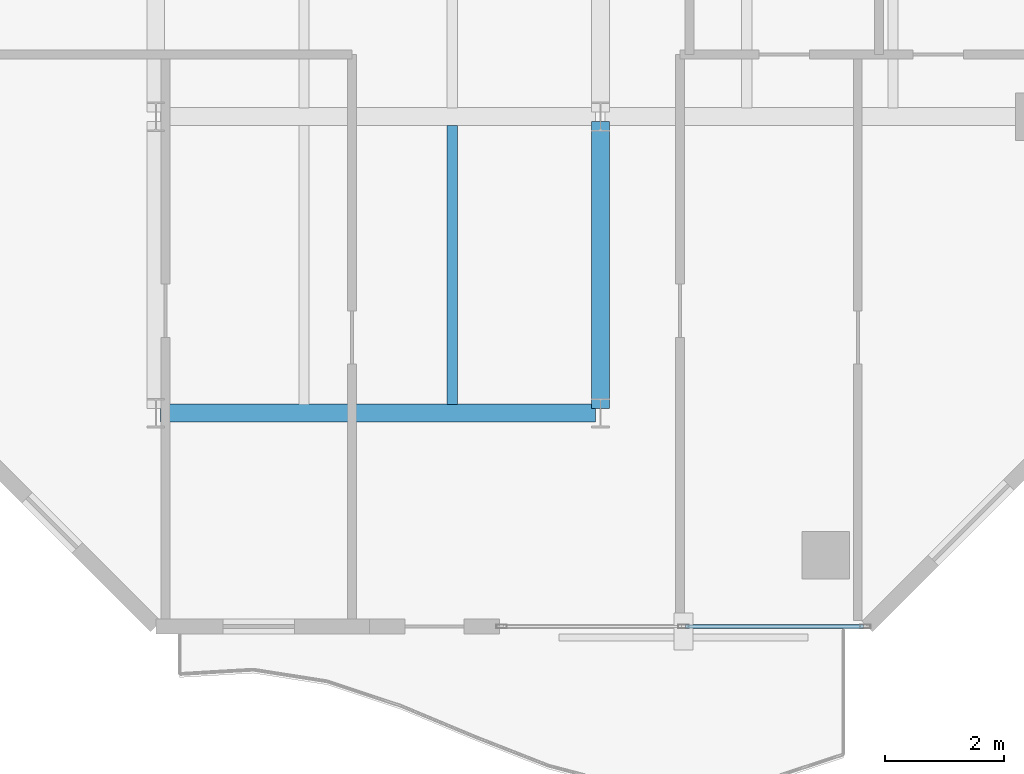
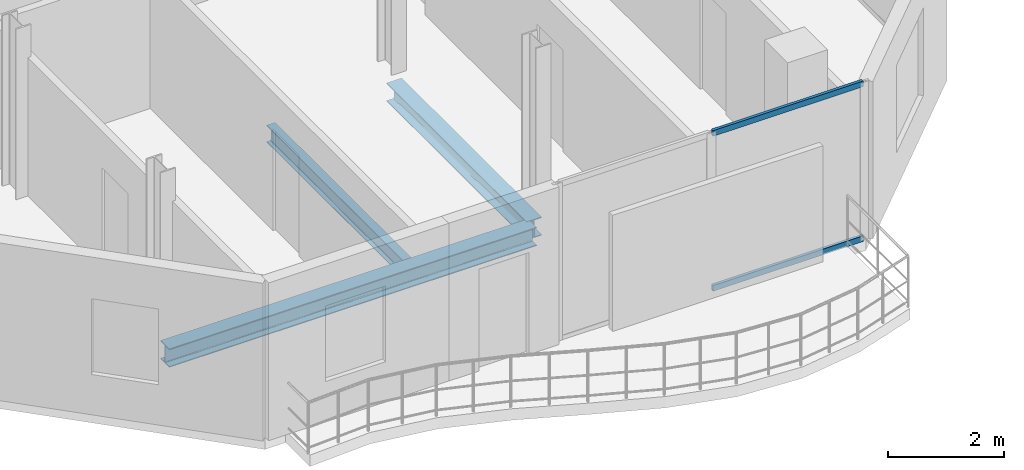
# One storey, part 4 of 23: 3 beams, 2 members, 1 element without a shape of its own.
"""IFC4 building model written with IfcOpenShell, lengths in metres."""

import ifcopenshell
import ifcopenshell.guid

model = None  # the IFC model being written
_history = None  # IfcOwnerHistory: only IFC2X3 demands one
_inside = {}  # id of a spatial element -> (the spatial element, [elements in it])
_under = {}  # id of a project, library or spatial element -> (it, [spatial elements below it])
_declared = {}  # id of a project -> (the project, [libraries it declares])
_typed = {}  # id of a type object -> (the type object, [elements of that type])
_made_of = {}  # id of a material, layer set ... -> (it, [elements and type objects made of it])


def new_model(schema):
    """Start an empty IFC model of exactly this schema.

    Asked for "IFC4X3", IfcOpenShell would pick the latest addendum, in which some entities
    have other attributes; the version numbers below select the first issue.
    IFC2X3 requires an IfcOwnerHistory on every rooted entity: one is made here for all.
    """
    global model, _history
    if schema == "IFC4X3":
        model = ifcopenshell.file(schema_version=(4, 3, 0, 0))
    else:
        model = ifcopenshell.file(schema=schema)
    _inside.clear()
    _under.clear()
    _declared.clear()
    _typed.clear()
    _made_of.clear()
    _history = None
    if model.schema == "IFC2X3":
        org = make("IfcOrganization", Name="unknown")
        user = make(
            "IfcPersonAndOrganization",
            ThePerson=make("IfcPerson", FamilyName="unknown"),
            TheOrganization=org,
        )
        app = make(
            "IfcApplication",
            ApplicationDeveloper=org,
            Version="unknown",
            ApplicationFullName="unknown",
            ApplicationIdentifier="unknown",
        )
        _history = make(
            "IfcOwnerHistory",
            OwningUser=user,
            OwningApplication=app,
            ChangeAction="ADDED",
            CreationDate=0,
        )
    return model


def make(cls, **values):
    """One entity of the class cls with the attributes given. An attribute that is None is left unset."""
    return model.create_entity(
        cls, **{name: value for name, value in values.items() if value is not None}
    )


def rooted(cls, **values):
    """An entity with a GlobalId (a new one), such as an element, a storey or a relation."""
    return make(cls, GlobalId=ifcopenshell.guid.new(), OwnerHistory=_history, **values)


def si_unit(unit_type, name, prefix=None):
    """IfcSIUnit, for example si_unit("LENGTHUNIT", "METRE", prefix="MILLI")."""
    return make("IfcSIUnit", UnitType=unit_type, Prefix=prefix, Name=name)


def assignment(units):
    """IfcUnitAssignment: the units of a project."""
    return None if units is None else make("IfcUnitAssignment", Units=units)


def point(xyz):
    """IfcCartesianPoint."""
    return None if xyz is None else make("IfcCartesianPoint", Coordinates=xyz)


def direction(xyz):
    """IfcDirection."""
    return None if xyz is None else make("IfcDirection", DirectionRatios=xyz)


def frame(location, z_axis=None, x_axis=None):
    """IfcAxis2Placement3D, a coordinate frame: its origin and axes. An axis left out is left unset."""
    return make(
        "IfcAxis2Placement3D",
        Location=point(location),
        Axis=direction(z_axis),
        RefDirection=direction(x_axis),
    )


def frame_2d(location, x_axis=None):
    """IfcAxis2Placement2D, a coordinate frame in the plane: its origin and x axis."""
    return make(
        "IfcAxis2Placement2D", Location=point(location), RefDirection=direction(x_axis)
    )


def origin():
    """The frame at (0, 0, 0) with its axes left unset."""
    return frame((0.0, 0.0, 0.0))


def origin_2d():
    """The frame at (0, 0) in the plane with its x axis left unset."""
    return frame_2d((0.0, 0.0))


def place(relative_to, where):
    """IfcLocalPlacement: puts the frame where relative to a parent placement (None: the world)."""
    return make(
        "IfcLocalPlacement", PlacementRelTo=relative_to, RelativePlacement=where
    )


def context(
    kind, dimensions, precision=None, world=None, true_north=None, identifier=None
):
    """IfcGeometricRepresentationContext, for example the 3D "Model" context."""
    return make(
        "IfcGeometricRepresentationContext",
        ContextIdentifier=identifier,
        ContextType=kind,
        CoordinateSpaceDimension=dimensions,
        Precision=precision,
        WorldCoordinateSystem=world,
        TrueNorth=true_north,
    )


def subcontext(parent, identifier, kind, view, scale=None):
    """IfcGeometricRepresentationSubContext, for example "Body" below "Model"."""
    return make(
        "IfcGeometricRepresentationSubContext",
        ContextIdentifier=identifier,
        ContextType=kind,
        ParentContext=parent,
        TargetScale=scale,
        TargetView=view,
    )


def project(units=None, contexts=None):
    """IfcProject with its units and contexts."""
    return rooted(
        "IfcProject",
        Name="project",
        RepresentationContexts=contexts,
        UnitsInContext=assignment(units),
    )


def spatial(cls, under=None, at=None, **own):
    """A site, building, storey or space (cls), placed at a placement, below another one or the project."""
    s = rooted(cls, ObjectPlacement=at, **own)
    if under is not None:
        _under.setdefault(under.id(), (under, []))[1].append(s)
    return s


def profile(cls, at=None, kind="AREA", **sizes):
    """A parametric profile (cls). Its sizes go by their IFC names, for example OverallWidth=200.0."""
    return make(cls, ProfileType=kind, Position=at, **sizes)


def hollow_rectangle(**sizes):
    """IfcRectangleHollowProfileDef."""
    return profile("IfcRectangleHollowProfileDef", **sizes)


def i_section(**sizes):
    """IfcIShapeProfileDef."""
    return profile("IfcIShapeProfileDef", **sizes)


def extrude(swept, where, along, depth):
    """IfcExtrudedAreaSolid: the profile swept, set in the frame where, extruded along a direction by depth."""
    return make(
        "IfcExtrudedAreaSolid",
        SweptArea=swept,
        Position=where,
        ExtrudedDirection=direction(along),
        Depth=depth,
    )


def shape(context_of_items, identifier, shape_type, items):
    """IfcShapeRepresentation: the items that make up one representation, for example the "Body"."""
    return make(
        "IfcShapeRepresentation",
        ContextOfItems=context_of_items,
        RepresentationIdentifier=identifier,
        RepresentationType=shape_type,
        Items=items,
    )


def material(Name=None, Category=None):
    """IfcMaterial."""
    return make("IfcMaterial", Name=Name, Category=Category)


def layer(
    of_material, thickness, ventilated=None, Name=None, Category=None, Priority=None
):
    """IfcMaterialLayer: one layer of a wall or slab, of a material (None: an air gap)."""
    return make(
        "IfcMaterialLayer",
        Material=of_material,
        LayerThickness=thickness,
        IsVentilated=ventilated,
        Name=Name,
        Category=Category,
        Priority=Priority,
    )


def layer_set(layers, Name=None):
    """IfcMaterialLayerSet."""
    return make("IfcMaterialLayerSet", MaterialLayers=layers, LayerSetName=Name)


def material_profile(
    of_material, cross_section, Name=None, Category=None, Priority=None
):
    """IfcMaterialProfile: a cross section and its material."""
    return make(
        "IfcMaterialProfile",
        Name=Name,
        Material=of_material,
        Profile=cross_section,
        Priority=Priority,
        Category=Category,
    )


def profile_set(profiles, Name=None, composite=None):
    """IfcMaterialProfileSet."""
    return make(
        "IfcMaterialProfileSet",
        Name=Name,
        MaterialProfiles=profiles,
        CompositeProfile=composite,
    )


def made_of(thing, what):
    """Note that an element or type object is made of a material, layer set ...; save() writes the relation."""
    if what is not None:
        _made_of.setdefault(what.id(), (what, []))[1].append(thing)
    return thing


def type_object(cls, material=None, **own):
    """A type object (cls), such as IfcWallType, which elements share."""
    return made_of(rooted(cls, **own), material)


def element(
    cls,
    number,
    at=None,
    inside=None,
    cuts=None,
    type_object=None,
    material=None,
    context=None,
    identifier="Body",
    shape_type=None,
    held_by="IfcProductDefinitionShape",
    body=None,
    shapes=None,
    **own,
):
    """One element of the class cls, such as IfcWall. Its Tag is "e" and its number.

    at: its placement. inside: the storey or other place that contains it. cuts: it is an
    opening in that element (IfcRelVoidsElement). A single representation is given by context,
    identifier, shape_type and body (its items); several are given by shapes. held_by: the class
    of the entity that holds the representations. save() writes the other relations.
    """
    e = rooted(cls, Tag="e%d" % number, ObjectPlacement=at, **own)
    if body is not None:
        shapes = [shape(context, identifier, shape_type, body)]
    if shapes is not None:
        e.Representation = make(held_by, Representations=shapes)
    if inside is not None:
        _inside.setdefault(inside.id(), (inside, []))[1].append(e)
    if cuts is not None:
        rooted(
            "IfcRelVoidsElement", RelatingBuildingElement=cuts, RelatedOpeningElement=e
        )
    if type_object is not None:
        _typed.setdefault(type_object.id(), (type_object, []))[1].append(e)
    return made_of(e, material)


def aggregate(whole, parts):
    """IfcRelAggregates: a whole, such as a stair, and the parts it consists of."""
    return rooted("IfcRelAggregates", RelatingObject=whole, RelatedObjects=parts)


def save(model, path):
    """Write the relations noted so far, then the file.

    IfcRelAggregates (storeys below a building ...), IfcRelContainedInSpatialStructure (elements
    in a storey), IfcRelDefinesByType, IfcRelAssociatesMaterial and IfcRelDeclares: one each for
    every whole, place, type object, material and project.
    """
    for whole, parts in _under.values():
        aggregate(whole, parts)
    for where, things in _inside.values():
        rooted(
            "IfcRelContainedInSpatialStructure",
            RelatedElements=things,
            RelatingStructure=where,
        )
    for kind, things in _typed.values():
        rooted("IfcRelDefinesByType", RelatedObjects=things, RelatingType=kind)
    for what, things in _made_of.values():
        rooted("IfcRelAssociatesMaterial", RelatedObjects=things, RelatingMaterial=what)
    for by, libraries in _declared.values():
        rooted("IfcRelDeclares", RelatingContext=by, RelatedDefinitions=libraries)
    model.write(path)


model = new_model("IFC4")

# Units and contexts
model_context = context("Model", 3, precision=1e-05, world=origin(), true_north=direction((0.0, 1.0)))
body_context = subcontext(model_context, "Body", "Model", "MODEL_VIEW")
ifc_project = project(units=[si_unit("LENGTHUNIT", "METRE"), si_unit("AREAUNIT", "SQUARE_METRE"), si_unit("VOLUMEUNIT", "CUBIC_METRE"), si_unit("PLANEANGLEUNIT", "RADIAN"), si_unit("MASSUNIT", "GRAM", prefix="KILO")], contexts=[model_context])

# Site, building, storey
site_placement = place(None, origin())
site = spatial("IfcSite", under=ifc_project, at=site_placement, CompositionType="ELEMENT")
building_placement = place(site_placement, origin())
building = spatial("IfcBuilding", under=site, at=building_placement, Name="Catumbela Crestline Tower", CompositionType="ELEMENT")
storey_placement = place(building_placement, frame((0.0, 0.0, 168.6)))
storey = spatial("IfcBuildingStorey", under=building, at=storey_placement, Name="L43", CompositionType="ELEMENT", Elevation=168.6)

# Beams
ifc_material_1 = material(Name="Structural steel S355J2", Category="steel")
ifc_material_profile_1 = material_profile(ifc_material_1, i_section(OverallWidth=0.3, OverallDepth=0.39, WebThickness=0.011, FlangeThickness=0.019, FilletRadius=0.027, at=origin_2d()), Name="HEA 400")
ifc_profile_set_1 = profile_set([ifc_material_profile_1], Name="Structural steel S355J2")
beam_type_1 = type_object("IfcBeamType", Name="BG-HEA400", PredefinedType="BEAM", material=ifc_profile_set_1)
beam_1_placement = place(storey_placement, frame((8.58, 8.6, -0.455), z_axis=(1.0, 0.0, 0.0), x_axis=(0.0, 1.0, 0.0)))
element("IfcBeam", 1, at=beam_1_placement, inside=storey, type_object=beam_type_1, Name="L43 Beam BM-L43-WEW32", PredefinedType="BEAM", context=body_context, shape_type="SweptSolid", body=[
    extrude(i_section(OverallWidth=0.3, OverallDepth=0.39, WebThickness=0.011, FlangeThickness=0.019, FilletRadius=0.027, at=origin_2d()), origin(), (0.0, 0.0, 1.0), 7.34),
])
beam_2_placement = place(storey_placement, frame((16.0, 8.68, -0.455), z_axis=(0.0, 1.0, 0.0), x_axis=(-1.0, 0.0, 0.0)))
element("IfcBeam", 2, at=beam_2_placement, inside=storey, type_object=beam_type_1, Name="L43 Beam BM-L43-WNS40", PredefinedType="BEAM", context=body_context, shape_type="SweptSolid", body=[
    extrude(i_section(OverallWidth=0.3, OverallDepth=0.39, WebThickness=0.011, FlangeThickness=0.019, FilletRadius=0.027, at=origin_2d()), origin(), (0.0, 0.0, 1.0), 4.84),
])
ifc_material_profile_2 = material_profile(ifc_material_1, i_section(OverallWidth=0.17, OverallDepth=0.36, WebThickness=0.008, FlangeThickness=0.0127, FilletRadius=0.018, at=origin_2d()), Name="IPE 360")
ifc_profile_set_2 = profile_set([ifc_material_profile_2], Name="Structural steel S355J2")
beam_type_2 = type_object("IfcBeamType", Name="BJ-IPE360", PredefinedType="JOIST", material=ifc_profile_set_2)
beam_3_placement = place(storey_placement, frame((13.5, 8.747, -0.44), z_axis=(0.0, 1.0, 0.0), x_axis=(-1.0, 0.0, 0.0)))
element("IfcBeam", 3, at=beam_3_placement, inside=storey, type_object=beam_type_2, Name="L43 Joist JS-L43-WG45", PredefinedType="JOIST", context=body_context, shape_type="SweptSolid", body=[
    extrude(i_section(OverallWidth=0.17, OverallDepth=0.36, WebThickness=0.008, FlangeThickness=0.0127, FilletRadius=0.018, at=origin_2d()), origin(), (0.0, 0.0, 1.0), 4.706),
])

# Curtain wall, members
ifc_material_2 = material(Name="Aluminium alloy AW-6060-T66", Category="aluminium")
ifc_layer = layer(ifc_material_2, 0.18, Name="Aluminium alloy AW-6060-T66")
ifc_layer_set = layer_set([ifc_layer], Name="Aluminium alloy AW-6060-T66")
curtain_wall_type = type_object("IfcCurtainWallType", Name="CWU-Z3", PredefinedType="USERDEFINED", material=ifc_layer_set)
curtain_wall_placement = place(storey_placement, origin())
curtain_wall = element("IfcCurtainWall", 4, at=curtain_wall_placement, inside=storey, type_object=curtain_wall_type, Name="L43 Unitised Curtain Wall CW-L43-E0S2", ObjectType="UNITISED", PredefinedType="USERDEFINED")
ifc_material_profile_3 = material_profile(ifc_material_2, hollow_rectangle(XDim=0.06, YDim=0.12, WallThickness=0.0035, at=origin_2d()), Name="ALU 120x60x3.5")
ifc_profile_set_3 = profile_set([ifc_material_profile_3], Name="Aluminium alloy AW-6060-T66")
member_type = type_object("IfcMemberType", Name="TRN-120X60", PredefinedType="USERDEFINED", material=ifc_profile_set_3)
member_1_placement = place(storey_placement, frame((17.4325, 5.0, 0.03), z_axis=(1.0, 0.0, 0.0), x_axis=(0.0, 1.0, 0.0)))
member_1 = element("IfcMember", 5, at=member_1_placement, type_object=member_type, Name="CWU-Z3 transom 2.1", ObjectType="TRANSOM", PredefinedType="USERDEFINED", context=body_context, shape_type="SweptSolid", body=[
    extrude(hollow_rectangle(XDim=0.06, YDim=0.12, WallThickness=0.0035, at=origin_2d()), origin(), (0.0, 0.0, 1.0), 3.0025),
])
member_2_placement = place(storey_placement, frame((17.4325, 5.0, 3.3), z_axis=(1.0, 0.0, 0.0), x_axis=(0.0, 1.0, 0.0)))
member_2 = element("IfcMember", 6, at=member_2_placement, type_object=member_type, Name="CWU-Z3 transom 2.2", ObjectType="TRANSOM", PredefinedType="USERDEFINED", context=body_context, shape_type="SweptSolid", body=[
    extrude(hollow_rectangle(XDim=0.06, YDim=0.12, WallThickness=0.0035, at=origin_2d()), origin(), (0.0, 0.0, 1.0), 3.0025),
])
aggregate(curtain_wall, [member_1, member_2])

save(model, "model.ifc")
